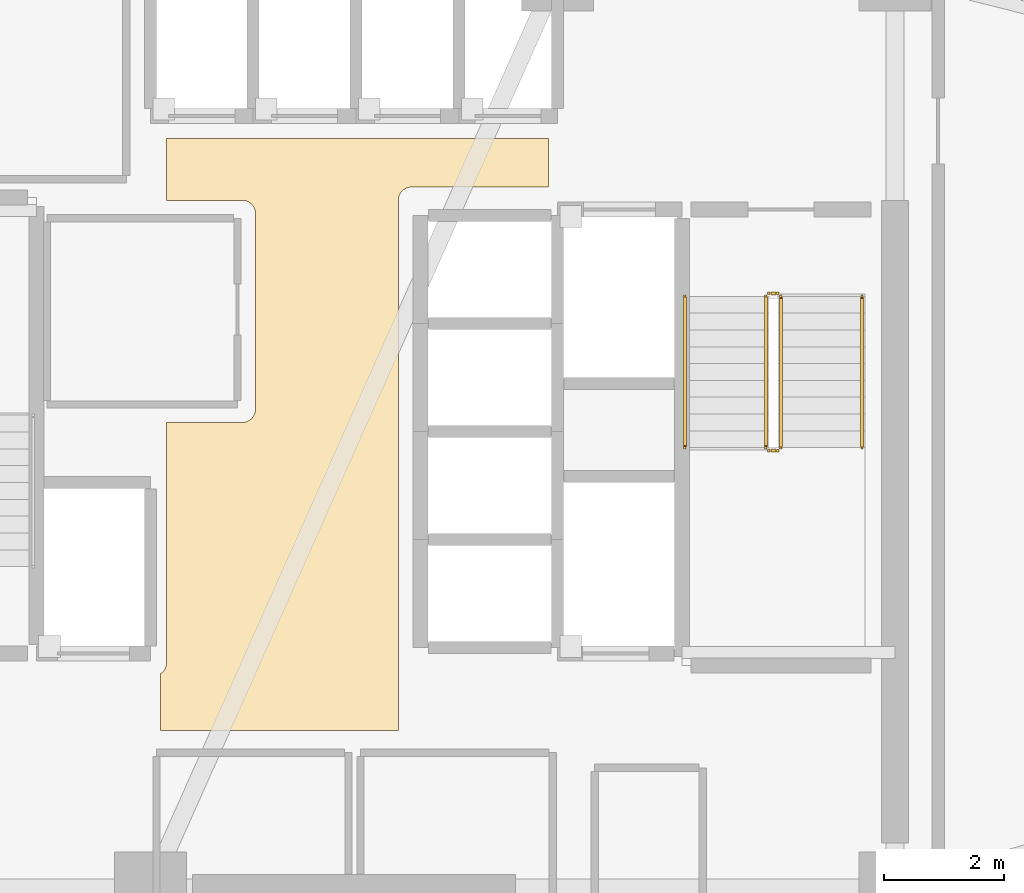
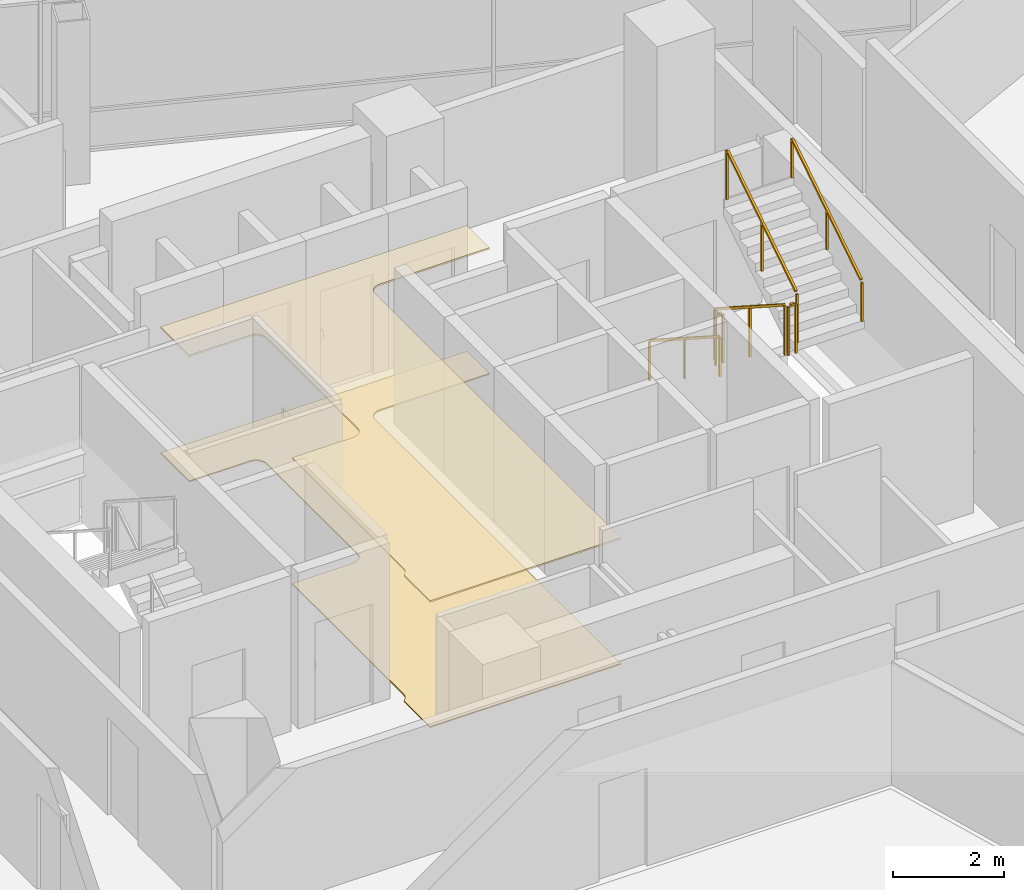
# One storey, part 15 of 16: 6 railings, 2 coverings.
"""IFC4 building model written with IfcOpenShell, lengths in metres."""

from ifc_helpers import new_model, si_unit, direction, frame, origin, origin_2d, place, context, subcontext, project, spatial, polyline, rectangle, outline, extrude, material, layer, layer_set, type_object, element, save


model = new_model("IFC4")

# Units and contexts
model_context = context("Model", 3, precision=1e-05, world=origin(), true_north=direction((0.0, 1.0)))
body_context = subcontext(model_context, "Body", "Model", "MODEL_VIEW")
ifc_project = project(units=[si_unit("LENGTHUNIT", "METRE"), si_unit("AREAUNIT", "SQUARE_METRE"), si_unit("VOLUMEUNIT", "CUBIC_METRE"), si_unit("PLANEANGLEUNIT", "RADIAN"), si_unit("MASSUNIT", "GRAM", prefix="KILO")], contexts=[model_context])

# Site, building, storey
site_placement = place(None, origin())
site = spatial("IfcSite", under=ifc_project, at=site_placement, CompositionType="ELEMENT")
building_placement = place(site_placement, origin())
building = spatial("IfcBuilding", under=site, at=building_placement, Name="Tharavind Bronze Gate", CompositionType="ELEMENT")
storey_placement = place(building_placement, frame((0.0, 0.0, 188.5)))
storey = spatial("IfcBuildingStorey", under=building, at=storey_placement, Name="L48", CompositionType="ELEMENT", Elevation=188.5)

# Coverings
ifc_material_1 = material(Name="Perforated Bronze Acoustic Panel", Category="bronze")
ifc_layer_1 = layer(ifc_material_1, 0.044921875)
ifc_layer_set_1 = layer_set([ifc_layer_1], Name="Perforated Bronze Acoustic Panel")
covering_type_1 = type_object("IfcCoveringType", Name="ACOUSTIC BRONZE BAFFLE CEILING", PredefinedType="CEILING", material=ifc_layer_set_1)
covering_1_placement = place(storey_placement, frame((0.0, 0.0, 2.75)))
element("IfcCovering", 1, at=covering_1_placement, inside=storey, type_object=covering_type_1, Name="L48-C-LL suspended ceiling", PredefinedType="CEILING", context=body_context, shape_type="SweptSolid", body=[
    extrude(outline(polyline([(-3.330078125, -4.97998046875), (0.6298828125, -4.97998046875), (0.6298828125, 3.85009765625), (0.631103515625, 3.87158203125), (0.63427734375, 3.892822265625), (0.639404296875, 3.913818359375), (0.646728515625, 3.93408203125), (0.656005859375, 3.95361328125), (0.6669921875, 3.97216796875), (0.679931640625, 3.989501953125), (0.6943359375, 4.005615234375), (0.71044921875, 4.02001953125), (0.727783203125, 4.032958984375), (0.746337890625, 4.0439453125), (0.765869140625, 4.05322265625), (0.7861328125, 4.060546875), (0.80712890625, 4.06591796875), (0.828369140625, 4.06884765625), (0.85009765625, 4.070068359375), (3.1298828125, 4.070068359375), (3.1298828125, 4.8798828125), (-3.22998046875, 4.8798828125), (-3.22998046875, 3.85009765625), (-1.969970703125, 3.85009765625), (-1.948486328125, 3.848876953125), (-1.927001953125, 3.845703125), (-1.906005859375, 3.840576171875), (-1.8857421875, 3.833251953125), (-1.8662109375, 3.823974609375), (-1.847900390625, 3.81298828125), (-1.830322265625, 3.800048828125), (-1.814453125, 3.78564453125), (-1.7998046875, 3.76953125), (-1.787109375, 3.752197265625), (-1.77587890625, 3.733642578125), (-1.7666015625, 3.714111328125), (-1.759521484375, 3.69384765625), (-1.754150390625, 3.6728515625), (-1.751220703125, 3.651611328125), (-1.75, 3.6298828125), (-1.75, 0.3701171875), (-1.751220703125, 0.348388671875), (-1.754150390625, 0.3271484375), (-1.759521484375, 0.30615234375), (-1.7666015625, 0.285888671875), (-1.77587890625, 0.266357421875), (-1.787109375, 0.247802734375), (-1.7998046875, 0.23046875), (-1.814453125, 0.21435546875), (-1.830322265625, 0.199951171875), (-1.847900390625, 0.18701171875), (-1.8662109375, 0.176025390625), (-1.8857421875, 0.166748046875), (-1.906005859375, 0.159423828125), (-1.927001953125, 0.154296875), (-1.948486328125, 0.151123046875), (-1.969970703125, 0.14990234375), (-3.22998046875, 0.14990234375), (-3.22998046875, -3.85009765625), (-3.231201171875, -3.87158203125), (-3.234130859375, -3.892822265625), (-3.239501953125, -3.913818359375), (-3.24658203125, -3.93408203125), (-3.256103515625, -3.95361328125), (-3.26708984375, -3.97216796875), (-3.27978515625, -3.989501953125), (-3.29443359375, -4.005615234375), (-3.310302734375, -4.02001953125), (-3.327880859375, -4.032958984375), (-3.330078125, -4.0341796875), (-3.330078125, -4.97998046875)])), origin(), (0.0, 0.0, 1.0), 0.034912109375),
])
ifc_material_2 = material(Name="Honed Travertine Limestone", Category="masonry")
ifc_layer_2 = layer(ifc_material_2, 0.030029296875)
ifc_layer_set_2 = layer_set([ifc_layer_2], Name="Honed Travertine Limestone")
covering_type_2 = type_object("IfcCoveringType", Name="HONED LIMESTONE FLOORING", PredefinedType="FLOORING", material=ifc_layer_set_2)
covering_2_placement = place(storey_placement, origin())
element("IfcCovering", 2, at=covering_2_placement, inside=storey, type_object=covering_type_2, Name="L48-C-LL floor finish", PredefinedType="FLOORING", context=body_context, shape_type="SweptSolid", body=[
    extrude(outline(polyline([(-3.330078125, -4.97998046875), (0.6298828125, -4.97998046875), (0.6298828125, 3.85009765625), (0.631103515625, 3.87158203125), (0.63427734375, 3.892822265625), (0.639404296875, 3.913818359375), (0.646728515625, 3.93408203125), (0.656005859375, 3.95361328125), (0.6669921875, 3.97216796875), (0.679931640625, 3.989501953125), (0.6943359375, 4.005615234375), (0.71044921875, 4.02001953125), (0.727783203125, 4.032958984375), (0.746337890625, 4.0439453125), (0.765869140625, 4.05322265625), (0.7861328125, 4.060546875), (0.80712890625, 4.06591796875), (0.828369140625, 4.06884765625), (0.85009765625, 4.070068359375), (3.1298828125, 4.070068359375), (3.1298828125, 4.8798828125), (-3.22998046875, 4.8798828125), (-3.22998046875, 3.85009765625), (-1.969970703125, 3.85009765625), (-1.948486328125, 3.848876953125), (-1.927001953125, 3.845703125), (-1.906005859375, 3.840576171875), (-1.8857421875, 3.833251953125), (-1.8662109375, 3.823974609375), (-1.847900390625, 3.81298828125), (-1.830322265625, 3.800048828125), (-1.814453125, 3.78564453125), (-1.7998046875, 3.76953125), (-1.787109375, 3.752197265625), (-1.77587890625, 3.733642578125), (-1.7666015625, 3.714111328125), (-1.759521484375, 3.69384765625), (-1.754150390625, 3.6728515625), (-1.751220703125, 3.651611328125), (-1.75, 3.6298828125), (-1.75, 0.3701171875), (-1.751220703125, 0.348388671875), (-1.754150390625, 0.3271484375), (-1.759521484375, 0.30615234375), (-1.7666015625, 0.285888671875), (-1.77587890625, 0.266357421875), (-1.787109375, 0.247802734375), (-1.7998046875, 0.23046875), (-1.814453125, 0.21435546875), (-1.830322265625, 0.199951171875), (-1.847900390625, 0.18701171875), (-1.8662109375, 0.176025390625), (-1.8857421875, 0.166748046875), (-1.906005859375, 0.159423828125), (-1.927001953125, 0.154296875), (-1.948486328125, 0.151123046875), (-1.969970703125, 0.14990234375), (-3.22998046875, 0.14990234375), (-3.22998046875, -3.85009765625), (-3.231201171875, -3.87158203125), (-3.234130859375, -3.892822265625), (-3.239501953125, -3.913818359375), (-3.24658203125, -3.93408203125), (-3.256103515625, -3.95361328125), (-3.26708984375, -3.97216796875), (-3.27978515625, -3.989501953125), (-3.29443359375, -4.005615234375), (-3.310302734375, -4.02001953125), (-3.327880859375, -4.032958984375), (-3.330078125, -4.0341796875), (-3.330078125, -4.97998046875)])), origin(), (0.0, 0.0, 1.0), 0.02490234375),
])

# Railings
ifc_material_3 = material(Name="Brushed Bronze Alloy", Category="metal")
railing_type_1 = type_object("IfcRailingType", Name="STAIR BRONZE HANDRAIL 900", PredefinedType="HANDRAIL", material=ifc_material_3)
railing_1_placement = place(storey_placement, frame((5.39990234375, 2.25, 0.179931640625)))
element("IfcRailing", 3, at=railing_1_placement, inside=storey, type_object=railing_type_1, Name="L48 ST2 stair handrail 1", PredefinedType="HANDRAIL", context=body_context, shape_type="SweptSolid", body=[
    extrude(rectangle(XDim=0.048095703125, YDim=0.048095703125, at=origin_2d()), frame((0.0, -0.02685546875, 0.89306640625), z_axis=(0.0, -0.841162588446, 0.540782303519), x_axis=(1.0, 0.0, 0.0)), (0.0, 0.0, 1.0), 2.931884765625),
    extrude(rectangle(XDim=0.0400390625, YDim=0.0400390625, at=origin_2d()), origin(), (0.0, 0.0, 1.0), 0.847900390625),
    extrude(rectangle(XDim=0.0400390625, YDim=0.0400390625, at=origin_2d()), frame((0.0, -1.260009765625, 0.81005859375)), (0.0, 0.0, 1.0), 0.847900390625),
    extrude(rectangle(XDim=0.0400390625, YDim=0.0400390625, at=origin_2d()), frame((0.0, -2.52001953125, 1.6201171875)), (0.0, 0.0, 1.0), 0.847900390625),
])
railing_2_placement = place(storey_placement, frame((8.35009765625, -0.27001953125, 1.97998046875)))
element("IfcRailing", 4, at=railing_2_placement, inside=storey, type_object=railing_type_1, Name="L48 ST2 stair handrail 2", PredefinedType="HANDRAIL", context=body_context, shape_type="SweptSolid", body=[
    extrude(rectangle(XDim=0.048095703125, YDim=0.048095703125, at=origin_2d()), frame((0.0, 0.02685546875, 0.89306640625), z_axis=(0.0, 0.841162588446, 0.540782303519), x_axis=(-1.0, 0.0, 0.0)), (0.0, 0.0, 1.0), 2.931884765625),
    extrude(rectangle(XDim=0.0400390625, YDim=0.0400390625, at=origin_2d()), origin(), (0.0, 0.0, 1.0), 0.847900390625),
    extrude(rectangle(XDim=0.0400390625, YDim=0.0400390625, at=origin_2d()), frame((0.0, 1.260009765625, 0.81005859375)), (0.0, 0.0, 1.0), 0.847900390625),
    extrude(rectangle(XDim=0.0400390625, YDim=0.0400390625, at=origin_2d()), frame((0.0, 2.52001953125, 1.6201171875)), (0.0, 0.0, 1.0), 0.847900390625),
])
railing_type_2 = type_object("IfcRailingType", Name="STAIR WELL GUARD RAILING 1120", PredefinedType="GUARDRAIL", material=ifc_material_3)
railing_3_placement = place(storey_placement, frame((6.75, 2.25, 0.179931640625)))
element("IfcRailing", 5, at=railing_3_placement, inside=storey, type_object=railing_type_2, Name="L48 ST2 stair guard 1", PredefinedType="GUARDRAIL", context=body_context, shape_type="SweptSolid", body=[
    extrude(rectangle(XDim=0.048095703125, YDim=0.048095703125, at=origin_2d()), frame((0.0, -0.02685546875, 1.11328125), z_axis=(0.0, -0.841162588446, 0.540782303519), x_axis=(1.0, 0.0, 0.0)), (0.0, 0.0, 1.0), 2.931884765625),
    extrude(rectangle(XDim=0.0400390625, YDim=0.0400390625, at=origin_2d()), origin(), (0.0, 0.0, 1.0), 1.068115234375),
    extrude(rectangle(XDim=0.0400390625, YDim=0.0400390625, at=origin_2d()), frame((0.0, -1.260009765625, 0.81005859375)), (0.0, 0.0, 1.0), 1.068115234375),
    extrude(rectangle(XDim=0.0400390625, YDim=0.0400390625, at=origin_2d()), frame((0.0, -2.52001953125, 1.6201171875)), (0.0, 0.0, 1.0), 1.068115234375),
])
railing_4_placement = place(storey_placement, frame((6.800048828125, -0.320068359375, 1.800048828125)))
element("IfcRailing", 6, at=railing_4_placement, inside=storey, type_object=railing_type_2, Name="L48 ST2 stair guard 2", PredefinedType="GUARDRAIL", context=body_context, shape_type="SweptSolid", body=[
    extrude(rectangle(XDim=0.048095703125, YDim=0.048095703125, at=origin_2d()), frame((0.031982421875, 0.0, 1.09619140625), z_axis=(1.0, 0.0, 0.0), x_axis=(0.0, 1.0, 0.0)), (0.0, 0.0, 1.0), 0.0859375),
    extrude(rectangle(XDim=0.0400390625, YDim=0.0400390625, at=origin_2d()), origin(), (0.0, 0.0, 1.0), 1.068115234375),
    extrude(rectangle(XDim=0.0400390625, YDim=0.0400390625, at=origin_2d()), frame((0.14990234375, 0.0, 0.0)), (0.0, 0.0, 1.0), 1.068115234375),
])
railing_5_placement = place(storey_placement, frame((7.0, -0.27001953125, 1.97998046875)))
element("IfcRailing", 7, at=railing_5_placement, inside=storey, type_object=railing_type_2, Name="L48 ST2 stair guard 3", PredefinedType="GUARDRAIL", context=body_context, shape_type="SweptSolid", body=[
    extrude(rectangle(XDim=0.048095703125, YDim=0.048095703125, at=origin_2d()), frame((0.0, 0.02685546875, 1.11328125), z_axis=(0.0, 0.841162588446, 0.540782303519), x_axis=(-1.0, 0.0, 0.0)), (0.0, 0.0, 1.0), 2.931884765625),
    extrude(rectangle(XDim=0.0400390625, YDim=0.0400390625, at=origin_2d()), origin(), (0.0, 0.0, 1.0), 1.068115234375),
    extrude(rectangle(XDim=0.0400390625, YDim=0.0400390625, at=origin_2d()), frame((0.0, 1.260009765625, 0.81005859375)), (0.0, 0.0, 1.0), 1.068115234375),
    extrude(rectangle(XDim=0.0400390625, YDim=0.0400390625, at=origin_2d()), frame((0.0, 2.52001953125, 1.6201171875)), (0.0, 0.0, 1.0), 1.068115234375),
])
railing_6_placement = place(storey_placement, frame((6.800048828125, 2.300048828125, 0.0)))
element("IfcRailing", 8, at=railing_6_placement, inside=storey, type_object=railing_type_2, Name="L48 ST2 stair guard 4", PredefinedType="GUARDRAIL", context=body_context, shape_type="SweptSolid", body=[
    extrude(rectangle(XDim=0.048095703125, YDim=0.048095703125, at=origin_2d()), frame((0.031982421875, 0.0, 1.09619140625), z_axis=(1.0, 0.0, 0.0), x_axis=(0.0, 1.0, 0.0)), (0.0, 0.0, 1.0), 0.0859375),
    extrude(rectangle(XDim=0.0400390625, YDim=0.0400390625, at=origin_2d()), origin(), (0.0, 0.0, 1.0), 1.068115234375),
    extrude(rectangle(XDim=0.0400390625, YDim=0.0400390625, at=origin_2d()), frame((0.14990234375, 0.0, 0.0)), (0.0, 0.0, 1.0), 1.068115234375),
])

save(model, "model.ifc")
